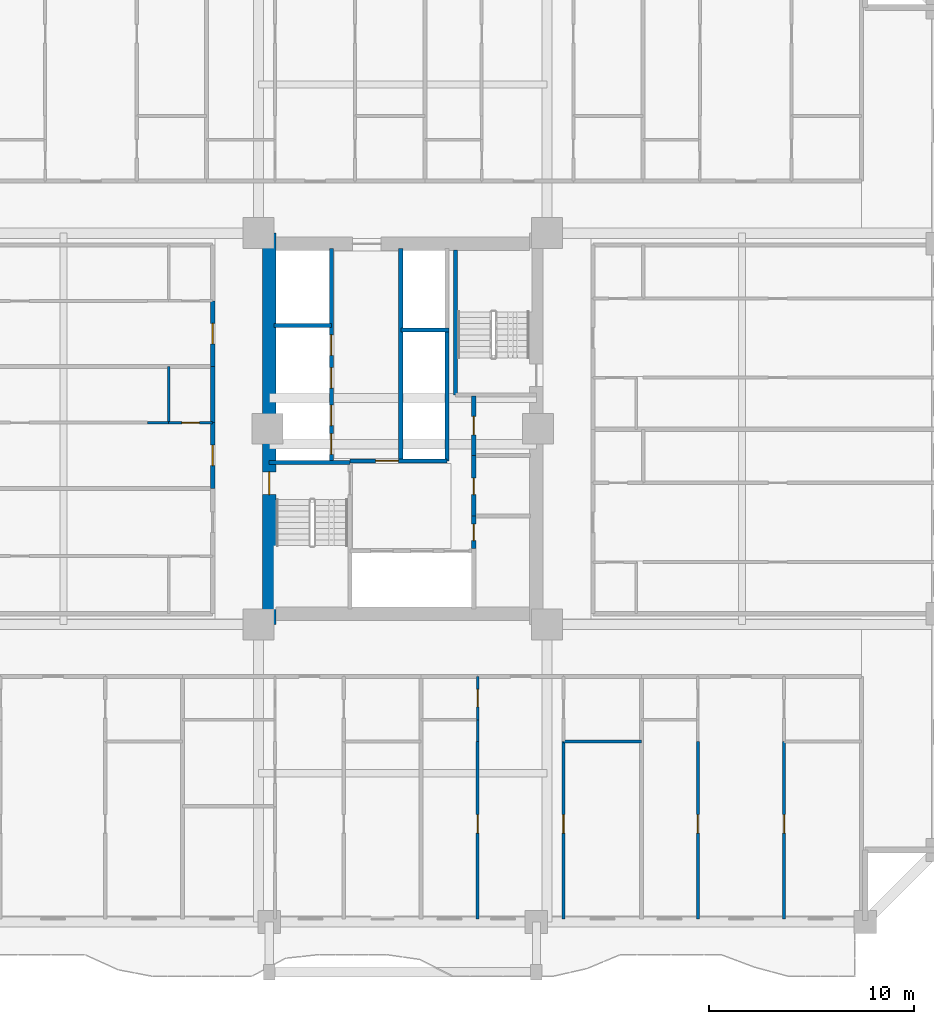
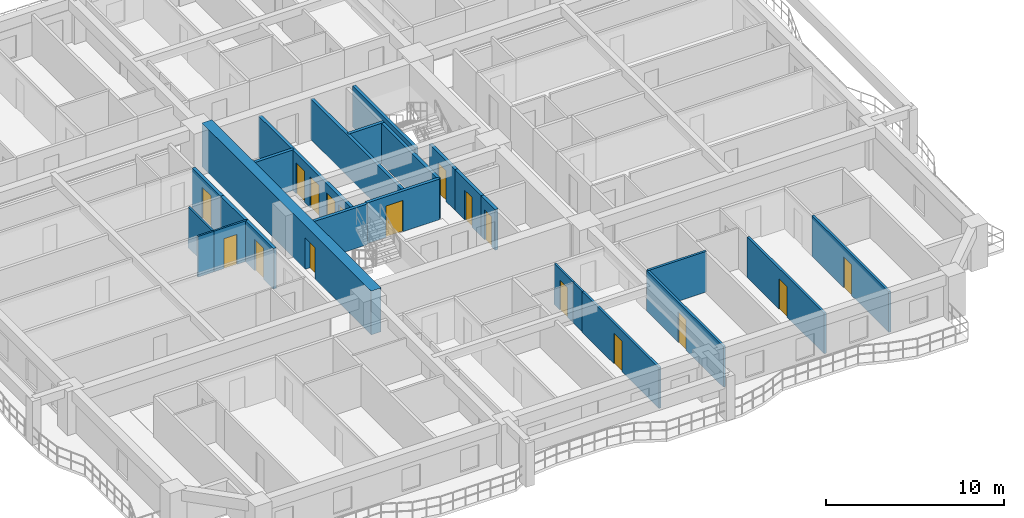
# One storey, part 4 of 16: 25 walls, 17 doors, 17 openings.
"""IFC4 building model written with IfcOpenShell, lengths in metres."""

from ifc_helpers import new_model, si_unit, direction, frame, frame_2d, origin, place, context, subcontext, project, spatial, rectangle, extrude, source, transform, mapped, material, layer, layer_set, type_object, element, fill, save


model = new_model("IFC4")

# Units and contexts
model_context = context("Model", 3, precision=1e-05, world=origin(), true_north=direction((0.0, 1.0)))
body_context = subcontext(model_context, "Body", "Model", "MODEL_VIEW")
ifc_project = project(units=[si_unit("LENGTHUNIT", "METRE"), si_unit("AREAUNIT", "SQUARE_METRE"), si_unit("VOLUMEUNIT", "CUBIC_METRE"), si_unit("PLANEANGLEUNIT", "RADIAN"), si_unit("MASSUNIT", "GRAM", prefix="KILO")], contexts=[model_context])

# Site, building, storey
site_placement = place(None, origin())
site = spatial("IfcSite", under=ifc_project, at=site_placement, CompositionType="ELEMENT")
building_placement = place(site_placement, origin())
building = spatial("IfcBuilding", under=site, at=building_placement, Name="Saelheon Loggia Tower", CompositionType="ELEMENT")
storey_placement = place(building_placement, frame((0.0, 0.0, 28.39990234375)))
storey = spatial("IfcBuildingStorey", under=building, at=storey_placement, Name="L08", CompositionType="ELEMENT", Elevation=28.39990234375)

# Wall, opening, door
ifc_material_1 = material(Name="Concrete C60/75", Category="concrete")
ifc_layer_1 = layer(ifc_material_1, 0.64990234375)
ifc_layer_set_1 = layer_set([ifc_layer_1], Name="Concrete C60/75")
wall_type_1 = type_object("IfcWallType", Name="Wall_CoreShear_650", PredefinedType="SHEAR", material=ifc_layer_set_1)
wall_1_placement = place(storey_placement, frame((31.5, 17.47998046875, 0.0), z_axis=(0.0, 0.0, 1.0), x_axis=(0.0, 1.0, 0.0)))
wall_1 = element("IfcWall", 1, at=wall_1_placement, inside=storey, type_object=wall_type_1, Name="L08 Core Shear Wall West", PredefinedType="SHEAR", context=body_context, shape_type="SweptSolid", body=[
    extrude(rectangle(XDim=19.0400390625, YDim=0.64990234375, at=frame_2d((9.52001953125, 0.0))), origin(), (0.0, 0.0, 1.0), 3.0),
])
opening_1_placement = place(wall_1_placement, frame((6.320068359375, 0.0, 0.0)))
opening_1 = element("IfcOpeningElement", 2, at=opening_1_placement, cuts=wall_1, Name="Opening D-FD2", PredefinedType="OPENING", context=body_context, shape_type="SweptSolid", body=[
    extrude(rectangle(XDim=1.10009765625, YDim=2.14990234375, at=frame_2d((0.550048828125, 1.074951171875))), frame((0.0, 0.3369140625, 0.0), z_axis=(0.0, -1.0, 0.0), x_axis=(1.0, 0.0, 0.0)), (0.0, 0.0, 1.0), 0.673828125),
])
ifc_material_2 = material(Name="Galvanised Steel Fire Door", Category="steel")
door_type_1 = type_object("IfcDoorType", Name="Door_Fire_FD60_1100", OperationType="NOTDEFINED", PredefinedType="DOOR", material=ifc_material_2)
shared_shape_1 = source(origin(), body_context, "Body", "SweptSolid", [
    extrude(rectangle(XDim=1.10009765625, YDim=2.14990234375, at=frame_2d((0.550048828125, 1.074951171875))), frame((0.0, 0.02490234375, 0.0), z_axis=(0.0, -1.0, 0.0), x_axis=(1.0, 0.0, 0.0)), (0.0, 0.0, 1.0), 0.050048828125),
])
door_1_placement = place(opening_1_placement, origin())
door_1 = element("IfcDoor", 3, at=door_1_placement, inside=storey, type_object=door_type_1, Name="L08 Stair ST1 Corridor Door", OperationType="SINGLE_SWING_LEFT", OverallHeight=2.14990234375, OverallWidth=1.10009765625, PredefinedType="DOOR", context=body_context, shape_type="MappedRepresentation", body=[
    mapped(shared_shape_1, transform((0.0, 0.0, 0.0), scale=1.0)),
])
fill(opening_1, door_1)

# Wall
ifc_material_3 = material(Name="Lightweight Autoclaved Aerated Concrete Block and Acoustic Gypsum", Category="concrete")
ifc_layer_2 = layer(ifc_material_3, 0.14990234375)
ifc_layer_set_2 = layer_set([ifc_layer_2], Name="Lightweight Autoclaved Aerated Concrete Block and Acoustic Gypsum")
wall_type_2 = type_object("IfcWallType", Name="Wall_Part_150", PredefinedType="PARTITIONING", material=ifc_layer_set_2)
wall_2_placement = place(storey_placement, frame((45.820068359375, 11.780029296875, 0.0), z_axis=(0.0, 0.0, 1.0), x_axis=(1.0, 0.0, 0.0)))
element("IfcWall", 4, at=wall_2_placement, inside=storey, type_object=wall_type_2, Name="L08 S Partition V31", PredefinedType="PARTITIONING", context=body_context, shape_type="SweptSolid", body=[
    extrude(rectangle(XDim=3.786376953125, YDim=0.14990234375, at=frame_2d((1.89306640625, 0.0))), origin(), (0.0, 0.0, 1.0), 2.7900390625),
])

# Wall, opening, door
wall_3_placement = place(storey_placement, frame((41.642822265625, 11.780029296875, 0.0), z_axis=(0.0, 0.0, 1.0), x_axis=(0.0, -1.0, 0.0)))
wall_3 = element("IfcWall", 5, at=wall_3_placement, inside=storey, type_object=wall_type_2, Name="L08 S Partition U34", PredefinedType="PARTITIONING", context=body_context, shape_type="SweptSolid", body=[
    extrude(rectangle(XDim=8.630126953125, YDim=0.14990234375, at=frame_2d((4.31494140625, 0.0))), origin(), (0.0, 0.0, 1.0), 2.7900390625),
])
opening_2_placement = place(wall_3_placement, frame((3.56298828125, 0.0, 0.0)))
opening_2 = element("IfcOpeningElement", 6, at=opening_2_placement, cuts=wall_3, Name="Opening D-IN2", PredefinedType="OPENING", context=body_context, shape_type="SweptSolid", body=[
    extrude(rectangle(XDim=0.89990234375, YDim=2.10009765625, at=frame_2d((0.449951171875, 1.050048828125))), frame((0.0, 0.0869140625, 0.0), z_axis=(0.0, -1.0, 0.0), x_axis=(1.0, 0.0, 0.0)), (0.0, 0.0, 1.0), 0.173828125),
])
ifc_material_4 = material(Name="Engineered Oak Flush Door", Category="timber")
door_type_2 = type_object("IfcDoorType", Name="Door_Int_900", OperationType="NOTDEFINED", PredefinedType="DOOR", material=ifc_material_4)
shared_shape_2 = source(origin(), body_context, "Body", "SweptSolid", [
    extrude(rectangle(XDim=0.89990234375, YDim=2.10009765625, at=frame_2d((0.449951171875, 1.050048828125))), frame((0.0, 0.02490234375, 0.0), z_axis=(0.0, -1.0, 0.0), x_axis=(1.0, 0.0, 0.0)), (0.0, 0.0, 1.0), 0.050048828125),
])
door_2_placement = place(opening_2_placement, origin())
door_2 = element("IfcDoor", 7, at=door_2_placement, inside=storey, type_object=door_type_2, Name="Unit U03 Kitchen Door", OperationType="SINGLE_SWING_RIGHT", OverallHeight=2.10009765625, OverallWidth=0.89990234375, PredefinedType="DOOR", context=body_context, shape_type="MappedRepresentation", body=[
    mapped(shared_shape_2, transform((0.0, 0.0, 0.0), scale=1.0)),
])
fill(opening_2, door_2)

wall_4_placement = place(storey_placement, frame((45.820068359375, 11.780029296875, 0.0), z_axis=(0.0, 0.0, 1.0), x_axis=(0.0, -1.0, 0.0)))
wall_4 = element("IfcWall", 8, at=wall_4_placement, inside=storey, type_object=wall_type_2, Name="L08 S Partition U36", PredefinedType="PARTITIONING", context=body_context, shape_type="SweptSolid", body=[
    extrude(rectangle(XDim=8.630126953125, YDim=0.14990234375, at=frame_2d((4.31494140625, 0.0))), origin(), (0.0, 0.0, 1.0), 2.7900390625),
])
opening_3_placement = place(wall_4_placement, frame((3.56298828125, 0.0, 0.0)))
opening_3 = element("IfcOpeningElement", 9, at=opening_3_placement, cuts=wall_4, Name="Opening D-IN2", PredefinedType="OPENING", context=body_context, shape_type="SweptSolid", body=[
    extrude(rectangle(XDim=0.89990234375, YDim=2.10009765625, at=frame_2d((0.449951171875, 1.050048828125))), frame((0.0, 0.0869140625, 0.0), z_axis=(0.0, -1.0, 0.0), x_axis=(1.0, 0.0, 0.0)), (0.0, 0.0, 1.0), 0.173828125),
])
door_3_placement = place(opening_3_placement, origin())
door_3 = element("IfcDoor", 10, at=door_3_placement, inside=storey, type_object=door_type_2, Name="Unit U03 Bedroom 1 Door", OperationType="SINGLE_SWING_RIGHT", OverallHeight=2.10009765625, OverallWidth=0.89990234375, PredefinedType="DOOR", context=body_context, shape_type="MappedRepresentation", body=[
    mapped(shared_shape_2, transform((0.0, 0.0, 0.0), scale=1.0)),
])
fill(opening_3, door_3)

wall_5_placement = place(storey_placement, frame((52.3564453125, 11.780029296875, 0.0), z_axis=(0.0, 0.0, 1.0), x_axis=(0.0, -1.0, 0.0)))
wall_5 = element("IfcWall", 11, at=wall_5_placement, inside=storey, type_object=wall_type_2, Name="L08 S Partition U45", PredefinedType="PARTITIONING", context=body_context, shape_type="SweptSolid", body=[
    extrude(rectangle(XDim=8.630126953125, YDim=0.14990234375, at=frame_2d((4.31494140625, 0.0))), origin(), (0.0, 0.0, 1.0), 2.7900390625),
])
opening_4_placement = place(wall_5_placement, frame((3.56298828125, 0.0, 0.0)))
opening_4 = element("IfcOpeningElement", 12, at=opening_4_placement, cuts=wall_5, Name="Opening D-IN2", PredefinedType="OPENING", context=body_context, shape_type="SweptSolid", body=[
    extrude(rectangle(XDim=0.89990234375, YDim=2.10009765625, at=frame_2d((0.449951171875, 1.050048828125))), frame((0.0, 0.0869140625, 0.0), z_axis=(0.0, -1.0, 0.0), x_axis=(1.0, 0.0, 0.0)), (0.0, 0.0, 1.0), 0.173828125),
])
door_4_placement = place(opening_4_placement, origin())
door_4 = element("IfcDoor", 13, at=door_4_placement, inside=storey, type_object=door_type_2, Name="Unit U04 Kitchen Door", OperationType="SINGLE_SWING_LEFT", OverallHeight=2.10009765625, OverallWidth=0.89990234375, PredefinedType="DOOR", context=body_context, shape_type="MappedRepresentation", body=[
    mapped(shared_shape_2, transform((0.0, 0.0, 0.0), scale=1.0)),
])
fill(opening_4, door_4)

wall_6_placement = place(storey_placement, frame((56.55419921875, 11.780029296875, 0.0), z_axis=(0.0, 0.0, 1.0), x_axis=(0.0, -1.0, 0.0)))
wall_6 = element("IfcWall", 14, at=wall_6_placement, inside=storey, type_object=wall_type_2, Name="L08 S Partition U47", PredefinedType="PARTITIONING", context=body_context, shape_type="SweptSolid", body=[
    extrude(rectangle(XDim=8.630126953125, YDim=0.14990234375, at=frame_2d((4.31494140625, 0.0))), origin(), (0.0, 0.0, 1.0), 2.7900390625),
])
opening_5_placement = place(wall_6_placement, frame((3.56298828125, 0.0, 0.0)))
opening_5 = element("IfcOpeningElement", 15, at=opening_5_placement, cuts=wall_6, Name="Opening D-IN2", PredefinedType="OPENING", context=body_context, shape_type="SweptSolid", body=[
    extrude(rectangle(XDim=0.89990234375, YDim=2.10009765625, at=frame_2d((0.449951171875, 1.050048828125))), frame((0.0, 0.0869140625, 0.0), z_axis=(0.0, -1.0, 0.0), x_axis=(1.0, 0.0, 0.0)), (0.0, 0.0, 1.0), 0.173828125),
])
door_5_placement = place(opening_5_placement, origin())
door_5 = element("IfcDoor", 16, at=door_5_placement, inside=storey, type_object=door_type_2, Name="Unit U04 Bedroom 1 Door", OperationType="SINGLE_SWING_LEFT", OverallHeight=2.10009765625, OverallWidth=0.89990234375, PredefinedType="DOOR", context=body_context, shape_type="MappedRepresentation", body=[
    mapped(shared_shape_2, transform((0.0, 0.0, 0.0), scale=1.0)),
])
fill(opening_5, door_5)

ifc_material_5 = material(Name="Double Acoustic Stud and Fireboard Partition", Category="gypsum")
ifc_layer_3 = layer(ifc_material_5, 0.199951171875)
ifc_layer_set_3 = layer_set([ifc_layer_3], Name="Double Acoustic Stud and Fireboard Partition")
wall_type_3 = type_object("IfcWallType", Name="Wall_Party_200", PredefinedType="PARTITIONING", material=ifc_layer_set_3)
wall_7_placement = place(storey_placement, frame((28.75, 24.10302734375, 0.0), z_axis=(0.0, 0.0, 1.0), x_axis=(0.0, 1.0, 0.0)))
wall_7 = element("IfcWall", 17, at=wall_7_placement, inside=storey, type_object=wall_type_3, Name="L08 W Partition V10", PredefinedType="PARTITIONING", context=body_context, shape_type="SweptSolid", body=[
    extrude(rectangle(XDim=3.19873046875, YDim=0.199951171875, at=frame_2d((1.599365234375, 0.0))), origin(), (0.0, 0.0, 1.0), 2.7900390625),
])
opening_6_placement = place(wall_7_placement, frame((1.099365234375, 0.0, 0.0)))
opening_6 = element("IfcOpeningElement", 18, at=opening_6_placement, cuts=wall_7, Name="Opening D-FD1", PredefinedType="OPENING", context=body_context, shape_type="SweptSolid", body=[
    extrude(rectangle(XDim=1.0, YDim=2.14990234375, at=frame_2d((0.5, 1.074951171875))), frame((0.0, 0.112060546875, 0.0), z_axis=(0.0, -1.0, 0.0), x_axis=(1.0, 0.0, 0.0)), (0.0, 0.0, 1.0), 0.223876953125),
])
ifc_material_6 = material(Name="Fire-Rated Engineered Timber Entrance Door", Category="wood")
door_type_3 = type_object("IfcDoorType", Name="Door_Flat_FD30S", OperationType="NOTDEFINED", PredefinedType="DOOR", material=ifc_material_6)
shared_shape_3 = source(origin(), body_context, "Body", "SweptSolid", [
    extrude(rectangle(XDim=1.0, YDim=2.14990234375, at=frame_2d((0.5, 1.074951171875))), frame((0.0, 0.02490234375, 0.0), z_axis=(0.0, -1.0, 0.0), x_axis=(1.0, 0.0, 0.0)), (0.0, 0.0, 1.0), 0.050048828125),
])
door_6_placement = place(opening_6_placement, origin())
door_6 = element("IfcDoor", 19, at=door_6_placement, inside=storey, type_object=door_type_3, Name="Unit U10 Entrance Door", OperationType="SINGLE_SWING_RIGHT", OverallHeight=2.14990234375, OverallWidth=1.0, PredefinedType="DOOR", context=body_context, shape_type="MappedRepresentation", body=[
    mapped(shared_shape_3, transform((0.0, 0.0, 0.0), scale=1.0)),
])
fill(opening_6, door_6)

# Wall
wall_8_placement = place(storey_placement, frame((28.75, 27.3017578125, 0.0), z_axis=(0.0, 0.0, 1.0), x_axis=(0.0, 1.0, 0.0)))
element("IfcWall", 20, at=wall_8_placement, inside=storey, type_object=wall_type_3, Name="L08 W Partition V11", PredefinedType="PARTITIONING", context=body_context, shape_type="SweptSolid", body=[
    extrude(rectangle(XDim=2.724853515625, YDim=0.199951171875, at=frame_2d((1.3623046875, 0.0))), origin(), (0.0, 0.0, 1.0), 2.7900390625),
])

# Wall, opening, door
wall_9_placement = place(storey_placement, frame((28.75, 30.026611328125, 0.0), z_axis=(0.0, 0.0, 1.0), x_axis=(0.0, 1.0, 0.0)))
wall_9 = element("IfcWall", 21, at=wall_9_placement, inside=storey, type_object=wall_type_3, Name="L08 W Partition V17", PredefinedType="PARTITIONING", context=body_context, shape_type="SweptSolid", body=[
    extrude(rectangle(XDim=3.198486328125, YDim=0.199951171875, at=frame_2d((1.59912109375, 0.0))), origin(), (0.0, 0.0, 1.0), 2.7900390625),
])
opening_7_placement = place(wall_9_placement, frame((1.099365234375, 0.0, 0.0)))
opening_7 = element("IfcOpeningElement", 22, at=opening_7_placement, cuts=wall_9, Name="Opening D-FD1", PredefinedType="OPENING", context=body_context, shape_type="SweptSolid", body=[
    extrude(rectangle(XDim=1.0, YDim=2.14990234375, at=frame_2d((0.5, 1.074951171875))), frame((0.0, 0.112060546875, 0.0), z_axis=(0.0, -1.0, 0.0), x_axis=(1.0, 0.0, 0.0)), (0.0, 0.0, 1.0), 0.223876953125),
])
door_7_placement = place(opening_7_placement, origin())
door_7 = element("IfcDoor", 23, at=door_7_placement, inside=storey, type_object=door_type_3, Name="Unit U11 Entrance Door", OperationType="SINGLE_SWING_LEFT", OverallHeight=2.14990234375, OverallWidth=1.0, PredefinedType="DOOR", context=body_context, shape_type="MappedRepresentation", body=[
    mapped(shared_shape_3, transform((0.0, 0.0, 0.0), scale=1.0)),
])
fill(opening_7, door_7)

ifc_material_7 = material(Name="Concrete C40/50", Category="concrete")
ifc_layer_4 = layer(ifc_material_7, 0.199951171875)
ifc_layer_set_4 = layer_set([ifc_layer_4], Name="Concrete C40/50")
wall_type_4 = type_object("IfcWallType", Name="Wall_Shaft_200", PredefinedType="PARTITIONING", material=ifc_layer_set_4)
wall_10_placement = place(storey_placement, frame((41.449951171875, 21.179931640625, 0.0), z_axis=(0.0, 0.0, 1.0), x_axis=(0.0, 1.0, 0.0)))
wall_10 = element("IfcWall", 24, at=wall_10_placement, inside=storey, type_object=wall_type_4, Name="CW-INT-L08-BOH-W1", PredefinedType="PARTITIONING", context=body_context, shape_type="SweptSolid", body=[
    extrude(rectangle(XDim=1.570068359375, YDim=0.199951171875, at=frame_2d((0.78515625, 0.0))), origin(), (0.0, 0.0, 1.0), 2.7900390625),
])
opening_8_placement = place(wall_10_placement, frame((0.3798828125, 0.0, 0.0)))
opening_8 = element("IfcOpeningElement", 25, at=opening_8_placement, cuts=wall_10, Name="Opening D-ST1", PredefinedType="OPENING", context=body_context, shape_type="SweptSolid", body=[
    extrude(rectangle(XDim=0.800048828125, YDim=2.050048828125, at=frame_2d((0.39990234375, 1.02490234375))), frame((0.0, 0.112060546875, 0.0), z_axis=(0.0, -1.0, 0.0), x_axis=(1.0, 0.0, 0.0)), (0.0, 0.0, 1.0), 0.223876953125),
])
ifc_material_8 = material(Name="Powder-Coated Steel Store Door", Category="steel")
door_type_4 = type_object("IfcDoorType", Name="Door_Store_800", OperationType="NOTDEFINED", PredefinedType="DOOR", material=ifc_material_8)
shared_shape_4 = source(origin(), body_context, "Body", "SweptSolid", [
    extrude(rectangle(XDim=0.800048828125, YDim=2.050048828125, at=frame_2d((0.39990234375, 1.02490234375))), frame((0.0, 0.02490234375, 0.0), z_axis=(0.0, -1.0, 0.0), x_axis=(1.0, 0.0, 0.0)), (0.0, 0.0, 1.0), 0.050048828125),
])
door_8_placement = place(opening_8_placement, origin())
door_8 = element("IfcDoor", 26, at=door_8_placement, inside=storey, type_object=door_type_4, Name="L08 Cleaner Store Door", OperationType="SINGLE_SWING_RIGHT", OverallHeight=2.050048828125, OverallWidth=0.800048828125, PredefinedType="DOOR", context=body_context, shape_type="MappedRepresentation", body=[
    mapped(shared_shape_4, transform((0.0, 0.0, 0.0), scale=1.0)),
])
fill(opening_8, door_8)

wall_11_placement = place(storey_placement, frame((41.449951171875, 22.75, 0.0), z_axis=(0.0, 0.0, 1.0), x_axis=(0.0, 1.0, 0.0)))
wall_11 = element("IfcWall", 27, at=wall_11_placement, inside=storey, type_object=wall_type_4, Name="CW-INT-L08-BOH-W2", PredefinedType="PARTITIONING", context=body_context, shape_type="SweptSolid", body=[
    extrude(rectangle(XDim=2.949951171875, YDim=0.199951171875, at=frame_2d((1.47509765625, 0.0))), origin(), (0.0, 0.0, 1.0), 2.7900390625),
])
opening_9_placement = place(wall_11_placement, frame((1.050048828125, 0.0, 0.0)))
opening_9 = element("IfcOpeningElement", 28, at=opening_9_placement, cuts=wall_11, Name="Opening D-ST1", PredefinedType="OPENING", context=body_context, shape_type="SweptSolid", body=[
    extrude(rectangle(XDim=0.800048828125, YDim=2.050048828125, at=frame_2d((0.39990234375, 1.02490234375))), frame((0.0, 0.112060546875, 0.0), z_axis=(0.0, -1.0, 0.0), x_axis=(1.0, 0.0, 0.0)), (0.0, 0.0, 1.0), 0.223876953125),
])
door_9_placement = place(opening_9_placement, origin())
door_9 = element("IfcDoor", 29, at=door_9_placement, inside=storey, type_object=door_type_4, Name="L08 Electrical Riser Door", OperationType="SINGLE_SWING_LEFT", OverallHeight=2.050048828125, OverallWidth=0.800048828125, PredefinedType="DOOR", context=body_context, shape_type="MappedRepresentation", body=[
    mapped(shared_shape_4, transform((0.0, 0.0, 0.0), scale=1.0)),
])
fill(opening_9, door_9)

wall_12_placement = place(storey_placement, frame((41.449951171875, 25.699951171875, 0.0), z_axis=(0.0, 0.0, 1.0), x_axis=(0.0, 1.0, 0.0)))
wall_12 = element("IfcWall", 30, at=wall_12_placement, inside=storey, type_object=wall_type_4, Name="CW-INT-L08-BOH-W3", PredefinedType="PARTITIONING", context=body_context, shape_type="SweptSolid", body=[
    extrude(rectangle(XDim=2.900146484375, YDim=0.199951171875, at=frame_2d((1.4501953125, 0.0))), origin(), (0.0, 0.0, 1.0), 2.7900390625),
])
opening_10_placement = place(wall_12_placement, frame((1.0, 0.0, 0.0)))
opening_10 = element("IfcOpeningElement", 31, at=opening_10_placement, cuts=wall_12, Name="Opening D-RS1", PredefinedType="OPENING", context=body_context, shape_type="SweptSolid", body=[
    extrude(rectangle(XDim=0.89990234375, YDim=2.10009765625, at=frame_2d((0.449951171875, 1.050048828125))), frame((0.0, 0.112060546875, 0.0), z_axis=(0.0, -1.0, 0.0), x_axis=(1.0, 0.0, 0.0)), (0.0, 0.0, 1.0), 0.223876953125),
])
ifc_material_9 = material(Name="Galvanised Steel Riser Access Door", Category="steel")
door_type_5 = type_object("IfcDoorType", Name="Door_Riser_FD60", OperationType="NOTDEFINED", PredefinedType="DOOR", material=ifc_material_9)
door_10_placement = place(opening_10_placement, origin())
door_10 = element("IfcDoor", 32, at=door_10_placement, inside=storey, type_object=door_type_5, Name="L08 Floor IT Room Door", OperationType="SINGLE_SWING_RIGHT", OverallHeight=2.10009765625, OverallWidth=0.89990234375, PredefinedType="DOOR", context=body_context, shape_type="MappedRepresentation", body=[
    mapped(shared_shape_2, transform((0.0, 0.0, 0.0), scale=1.0)),
])
fill(opening_10, door_10)

# Wall
wall_13_placement = place(storey_placement, frame((40.14990234375, 25.43994140625, 0.0), z_axis=(0.0, 0.0, 1.0), x_axis=(0.0, 1.0, 0.0)))
element("IfcWall", 33, at=wall_13_placement, inside=storey, type_object=wall_type_4, Name="L08 Core Service Passage West Wall", PredefinedType="PARTITIONING", context=body_context, shape_type="SweptSolid", body=[
    extrude(rectangle(XDim=6.360107421875, YDim=0.199951171875, at=frame_2d((3.18017578125, 0.0))), origin(), (0.0, 0.0, 1.0), 2.7900390625),
])

# Wall, opening, door
wall_14_placement = place(storey_placement, frame((35.429931640625, 25.43994140625, 0.0), z_axis=(0.0, 0.0, 1.0), x_axis=(1.0, 0.0, 0.0)))
wall_14 = element("IfcWall", 34, at=wall_14_placement, inside=storey, type_object=wall_type_4, Name="L08 Firefighting Lobby Compartment Wall", PredefinedType="PARTITIONING", context=body_context, shape_type="SweptSolid", body=[
    extrude(rectangle(XDim=4.719970703125, YDim=0.199951171875, at=frame_2d((2.35986328125, 0.0))), origin(), (0.0, 0.0, 1.0), 2.7900390625),
])
opening_11_placement = place(wall_14_placement, frame((1.25, 0.0, 0.0)))
opening_11 = element("IfcOpeningElement", 35, at=opening_11_placement, cuts=wall_14, Name="Opening D-FD2", PredefinedType="OPENING", context=body_context, shape_type="SweptSolid", body=[
    extrude(rectangle(XDim=1.10009765625, YDim=2.14990234375, at=frame_2d((0.550048828125, 1.074951171875))), frame((0.0, 0.112060546875, 0.0), z_axis=(0.0, -1.0, 0.0), x_axis=(1.0, 0.0, 0.0)), (0.0, 0.0, 1.0), 0.223876953125),
])
door_11_placement = place(opening_11_placement, origin())
door_11 = element("IfcDoor", 36, at=door_11_placement, inside=storey, type_object=door_type_1, Name="L08 Firefighting Lobby Door", OperationType="SINGLE_SWING_LEFT", OverallHeight=2.14990234375, OverallWidth=1.10009765625, PredefinedType="DOOR", context=body_context, shape_type="MappedRepresentation", body=[
    mapped(shared_shape_1, transform((0.0, 0.0, 0.0), scale=1.0)),
])
fill(opening_11, door_11)

# Wall, openings, doors
wall_15_placement = place(storey_placement, frame((34.52001953125, 25.43994140625, 0.0), z_axis=(0.0, 0.0, 1.0), x_axis=(0.0, 1.0, 0.0)))
wall_15 = element("IfcWall", 37, at=wall_15_placement, inside=storey, type_object=wall_type_4, Name="L08 West Passenger Lift Bank Wall", PredefinedType="PARTITIONING", context=body_context, shape_type="SweptSolid", body=[
    extrude(rectangle(XDim=10.340087890625, YDim=0.199951171875, at=frame_2d((5.169921875, 0.0))), origin(), (0.0, 0.0, 1.0), 2.7900390625),
])
opening_12_placement = place(wall_15_placement, frame((0.320068359375, 0.0, 0.0)))
opening_12 = element("IfcOpeningElement", 38, at=opening_12_placement, cuts=wall_15, Name="Opening LD1", PredefinedType="OPENING", context=body_context, shape_type="SweptSolid", body=[
    extrude(rectangle(XDim=1.0, YDim=2.14990234375, at=frame_2d((0.5, 1.074951171875))), frame((0.0, 0.112060546875, 0.0), z_axis=(0.0, -1.0, 0.0), x_axis=(1.0, 0.0, 0.0)), (0.0, 0.0, 1.0), 0.223876953125),
])
opening_13_placement = place(wall_15_placement, frame((1.7099609375, 0.0, 0.0)))
opening_13 = element("IfcOpeningElement", 39, at=opening_13_placement, cuts=wall_15, Name="Opening LD1", PredefinedType="OPENING", context=body_context, shape_type="SweptSolid", body=[
    extrude(rectangle(XDim=1.0, YDim=2.14990234375, at=frame_2d((0.5, 1.074951171875))), frame((0.0, 0.112060546875, 0.0), z_axis=(0.0, -1.0, 0.0), x_axis=(1.0, 0.0, 0.0)), (0.0, 0.0, 1.0), 0.223876953125),
])
opening_14_placement = place(wall_15_placement, frame((3.534912109375, 0.0, 0.0)))
opening_14 = element("IfcOpeningElement", 40, at=opening_14_placement, cuts=wall_15, Name="Opening LD1", PredefinedType="OPENING", context=body_context, shape_type="SweptSolid", body=[
    extrude(rectangle(XDim=1.0, YDim=2.14990234375, at=frame_2d((0.5, 1.074951171875))), frame((0.0, 0.112060546875, 0.0), z_axis=(0.0, -1.0, 0.0), x_axis=(1.0, 0.0, 0.0)), (0.0, 0.0, 1.0), 0.223876953125),
])
opening_15_placement = place(wall_15_placement, frame((5.135009765625, 0.0, 0.0)))
opening_15 = element("IfcOpeningElement", 41, at=opening_15_placement, cuts=wall_15, Name="Opening LD1", PredefinedType="OPENING", context=body_context, shape_type="SweptSolid", body=[
    extrude(rectangle(XDim=1.0, YDim=2.14990234375, at=frame_2d((0.5, 1.074951171875))), frame((0.0, 0.112060546875, 0.0), z_axis=(0.0, -1.0, 0.0), x_axis=(1.0, 0.0, 0.0)), (0.0, 0.0, 1.0), 0.223876953125),
])
ifc_material_10 = material(Name="Brushed Stainless Steel 304 Landing Door", Category="steel")
door_type_6 = type_object("IfcDoorType", Name="Door_Lift_LD1", OperationType="DOUBLE_DOOR_SLIDING", PredefinedType="DOOR", material=ifc_material_10)
door_12_placement = place(opening_12_placement, origin())
door_12 = element("IfcDoor", 42, at=door_12_placement, inside=storey, type_object=door_type_6, Name="L08 PL1 Landing Door", OperationType="DOUBLE_DOOR_SLIDING", OverallHeight=2.14990234375, OverallWidth=1.0, PredefinedType="DOOR", context=body_context, shape_type="MappedRepresentation", body=[
    mapped(shared_shape_3, transform((0.0, 0.0, 0.0), scale=1.0)),
])
fill(opening_12, door_12)
door_13_placement = place(opening_13_placement, origin())
door_13 = element("IfcDoor", 43, at=door_13_placement, inside=storey, type_object=door_type_6, Name="L08 PL2 Landing Door", OperationType="DOUBLE_DOOR_SLIDING", OverallHeight=2.14990234375, OverallWidth=1.0, PredefinedType="DOOR", context=body_context, shape_type="MappedRepresentation", body=[
    mapped(shared_shape_3, transform((0.0, 0.0, 0.0), scale=1.0)),
])
fill(opening_13, door_13)
door_14_placement = place(opening_14_placement, origin())
door_14 = element("IfcDoor", 44, at=door_14_placement, inside=storey, type_object=door_type_6, Name="L08 PL3 Landing Door", OperationType="DOUBLE_DOOR_SLIDING", OverallHeight=2.14990234375, OverallWidth=1.0, PredefinedType="DOOR", context=body_context, shape_type="MappedRepresentation", body=[
    mapped(shared_shape_3, transform((0.0, 0.0, 0.0), scale=1.0)),
])
fill(opening_14, door_14)
door_15_placement = place(opening_15_placement, origin())
door_15 = element("IfcDoor", 45, at=door_15_placement, inside=storey, type_object=door_type_6, Name="L08 PL4 Landing Door", OperationType="DOUBLE_DOOR_SLIDING", OverallHeight=2.14990234375, OverallWidth=1.0, PredefinedType="DOOR", context=body_context, shape_type="MappedRepresentation", body=[
    mapped(shared_shape_3, transform((0.0, 0.0, 0.0), scale=1.0)),
])
fill(opening_15, door_15)

# Walls
wall_16_placement = place(storey_placement, frame((31.719970703125, 32.02001953125, 0.0), z_axis=(0.0, 0.0, 1.0), x_axis=(1.0, 0.0, 0.0)))
element("IfcWall", 46, at=wall_16_placement, inside=storey, type_object=wall_type_4, Name="L08 West High-Rise Shaft Divider", PredefinedType="PARTITIONING", context=body_context, shape_type="SweptSolid", body=[
    extrude(rectangle(XDim=2.800048828125, YDim=0.199951171875, at=frame_2d((1.39990234375, 0.0))), origin(), (0.0, 0.0, 1.0), 2.7900390625),
])
wall_17_placement = place(storey_placement, frame((37.89990234375, 25.43994140625, 0.0), z_axis=(0.0, 0.0, 1.0), x_axis=(0.0, 1.0, 0.0)))
element("IfcWall", 47, at=wall_17_placement, inside=storey, type_object=wall_type_4, Name="L08 East Passenger Lift Bank Wall", PredefinedType="PARTITIONING", context=body_context, shape_type="SweptSolid", body=[
    extrude(rectangle(XDim=10.340087890625, YDim=0.199951171875, at=frame_2d((5.169921875, 0.0))), origin(), (0.0, 0.0, 1.0), 2.7900390625),
])
wall_18_placement = place(storey_placement, frame((37.89990234375, 31.800048828125, 0.0), z_axis=(0.0, 0.0, 1.0), x_axis=(1.0, 0.0, 0.0)))
element("IfcWall", 48, at=wall_18_placement, inside=storey, type_object=wall_type_4, Name="L08 East High-Rise Shaft Divider", PredefinedType="PARTITIONING", context=body_context, shape_type="SweptSolid", body=[
    extrude(rectangle(XDim=2.35009765625, YDim=0.199951171875, at=frame_2d((1.175048828125, 0.0))), origin(), (0.0, 0.0, 1.0), 2.7900390625),
])
ifc_material_11 = material(Name="Concrete C45/55", Category="concrete")
ifc_layer_5 = layer(ifc_material_11, 0.199951171875)
ifc_layer_set_5 = layer_set([ifc_layer_5], Name="Concrete C45/55")
wall_type_5 = type_object("IfcWallType", Name="Wall_StairShaft_RC200", PredefinedType="SOLIDWALL", material=ifc_layer_set_5)
wall_19_placement = place(storey_placement, frame((31.5, 25.35009765625, 0.0), z_axis=(0.0, 0.0, 1.0), x_axis=(1.0, 0.0, 0.0)))
element("IfcWall", 49, at=wall_19_placement, inside=storey, type_object=wall_type_5, Name="L08 Stair ST1 North Wall", PredefinedType="SOLIDWALL", context=body_context, shape_type="SweptSolid", body=[
    extrude(rectangle(XDim=3.929931640625, YDim=0.199951171875, at=frame_2d((1.96484375, 0.0))), origin(), (0.0, 0.0, 1.0), 2.7900390625),
])
wall_20_placement = place(storey_placement, frame((40.570068359375, 28.64990234375, 0.0), z_axis=(0.0, 0.0, 1.0), x_axis=(0.0, 1.0, 0.0)))
element("IfcWall", 50, at=wall_20_placement, inside=storey, type_object=wall_type_5, Name="L08 Stair ST2 Shaft Wall", PredefinedType="SOLIDWALL", context=body_context, shape_type="SweptSolid", body=[
    extrude(rectangle(XDim=7.050048828125, YDim=0.199951171875, at=frame_2d((3.52490234375, 0.0))), origin(), (0.0, 0.0, 1.0), 2.7900390625),
])

# Wall, opening, door
ifc_material_12 = material(Name="Moisture-Resistant Cement Board Partition", Category="gypsum")
ifc_layer_6 = layer(ifc_material_12, 0.1201171875)
ifc_layer_set_6 = layer_set([ifc_layer_6], Name="Moisture-Resistant Cement Board Partition")
wall_type_6 = type_object("IfcWallType", Name="Wall_WetPart_120", PredefinedType="PARTITIONING", material=ifc_layer_set_6)
wall_21_placement = place(storey_placement, frame((41.642822265625, 14.949951171875, 0.0), z_axis=(0.0, 0.0, 1.0), x_axis=(0.0, -1.0, 0.0)))
wall_21 = element("IfcWall", 51, at=wall_21_placement, inside=storey, type_object=wall_type_6, Name="L08 S Partition U32", PredefinedType="PARTITIONING", context=body_context, shape_type="SweptSolid", body=[
    extrude(rectangle(XDim=2.119873046875, YDim=0.1201171875, at=frame_2d((1.06005859375, 0.0))), origin(), (0.0, 0.0, 1.0), 2.7900390625),
])
opening_16_placement = place(wall_21_placement, frame((0.635009765625, 0.0, 0.0)))
opening_16 = element("IfcOpeningElement", 52, at=opening_16_placement, cuts=wall_21, Name="Opening D-BT1", PredefinedType="OPENING", context=body_context, shape_type="SweptSolid", body=[
    extrude(rectangle(XDim=0.85009765625, YDim=2.050048828125, at=frame_2d((0.425048828125, 1.02490234375))), frame((0.0, 0.072021484375, 0.0), z_axis=(0.0, -1.0, 0.0), x_axis=(1.0, 0.0, 0.0)), (0.0, 0.0, 1.0), 0.14404296875),
])
ifc_material_13 = material(Name="Moisture-Resistant Laminate Timber Door", Category="wood")
door_type_7 = type_object("IfcDoorType", Name="Door_Bath_850", OperationType="NOTDEFINED", PredefinedType="DOOR", material=ifc_material_13)
shared_shape_5 = source(origin(), body_context, "Body", "SweptSolid", [
    extrude(rectangle(XDim=0.85009765625, YDim=2.050048828125, at=frame_2d((0.425048828125, 1.02490234375))), frame((0.0, 0.02490234375, 0.0), z_axis=(0.0, -1.0, 0.0), x_axis=(1.0, 0.0, 0.0)), (0.0, 0.0, 1.0), 0.050048828125),
])
door_16_placement = place(opening_16_placement, origin())
door_16 = element("IfcDoor", 53, at=door_16_placement, inside=storey, type_object=door_type_7, Name="Unit U03 Bathroom Door", OperationType="SINGLE_SWING_LEFT", OverallHeight=2.050048828125, OverallWidth=0.85009765625, PredefinedType="DOOR", context=body_context, shape_type="MappedRepresentation", body=[
    mapped(shared_shape_5, transform((0.0, 0.0, 0.0), scale=1.0)),
])
fill(opening_16, door_16)

# Wall
wall_22_placement = place(storey_placement, frame((41.642822265625, 12.830078125, 0.0), z_axis=(0.0, 0.0, 1.0), x_axis=(0.0, -1.0, 0.0)))
element("IfcWall", 54, at=wall_22_placement, inside=storey, type_object=wall_type_6, Name="L08 S Partition U33", PredefinedType="PARTITIONING", context=body_context, shape_type="SweptSolid", body=[
    extrude(rectangle(XDim=1.050048828125, YDim=0.1201171875, at=frame_2d((0.52490234375, 0.0))), origin(), (0.0, 0.0, 1.0), 2.7900390625),
])

# Wall, opening, door
wall_23_placement = place(storey_placement, frame((28.75, 27.3017578125, 0.0), z_axis=(0.0, 0.0, 1.0), x_axis=(-1.0, 0.0, 0.0)))
wall_23 = element("IfcWall", 55, at=wall_23_placement, inside=storey, type_object=wall_type_6, Name="L08 W Partition U12", PredefinedType="PARTITIONING", context=body_context, shape_type="SweptSolid", body=[
    extrude(rectangle(XDim=2.14990234375, YDim=0.1201171875, at=frame_2d((1.074951171875, 0.0))), origin(), (0.0, 0.0, 1.0), 2.7900390625),
])
opening_17_placement = place(wall_23_placement, frame((0.64990234375, 0.0, 0.0)))
opening_17 = element("IfcOpeningElement", 56, at=opening_17_placement, cuts=wall_23, Name="Opening D-BT1", PredefinedType="OPENING", context=body_context, shape_type="SweptSolid", body=[
    extrude(rectangle(XDim=0.85009765625, YDim=2.050048828125, at=frame_2d((0.425048828125, 1.02490234375))), frame((0.0, 0.072021484375, 0.0), z_axis=(0.0, -1.0, 0.0), x_axis=(1.0, 0.0, 0.0)), (0.0, 0.0, 1.0), 0.14404296875),
])
door_17_placement = place(opening_17_placement, origin())
door_17 = element("IfcDoor", 57, at=door_17_placement, inside=storey, type_object=door_type_7, Name="Unit U10 Bathroom Door", OperationType="SINGLE_SWING_LEFT", OverallHeight=2.050048828125, OverallWidth=0.85009765625, PredefinedType="DOOR", context=body_context, shape_type="MappedRepresentation", body=[
    mapped(shared_shape_5, transform((0.0, 0.0, 0.0), scale=1.0)),
])
fill(opening_17, door_17)

# Walls
wall_24_placement = place(storey_placement, frame((26.60009765625, 27.3017578125, 0.0), z_axis=(0.0, 0.0, 1.0), x_axis=(-1.0, 0.0, 0.0)))
element("IfcWall", 58, at=wall_24_placement, inside=storey, type_object=wall_type_6, Name="L08 W Partition U13", PredefinedType="PARTITIONING", context=body_context, shape_type="SweptSolid", body=[
    extrude(rectangle(XDim=1.02001953125, YDim=0.1201171875, at=frame_2d((0.510009765625, 0.0))), origin(), (0.0, 0.0, 1.0), 2.7900390625),
])
wall_25_placement = place(storey_placement, frame((26.60009765625, 27.3017578125, 0.0), z_axis=(0.0, 0.0, 1.0), x_axis=(0.0, 1.0, 0.0)))
element("IfcWall", 59, at=wall_25_placement, inside=storey, type_object=wall_type_6, Name="L08 W Partition V14", PredefinedType="PARTITIONING", context=body_context, shape_type="SweptSolid", body=[
    extrude(rectangle(XDim=2.724853515625, YDim=0.1201171875, at=frame_2d((1.3623046875, 0.0))), origin(), (0.0, 0.0, 1.0), 2.7900390625),
])

save(model, "model.ifc")
